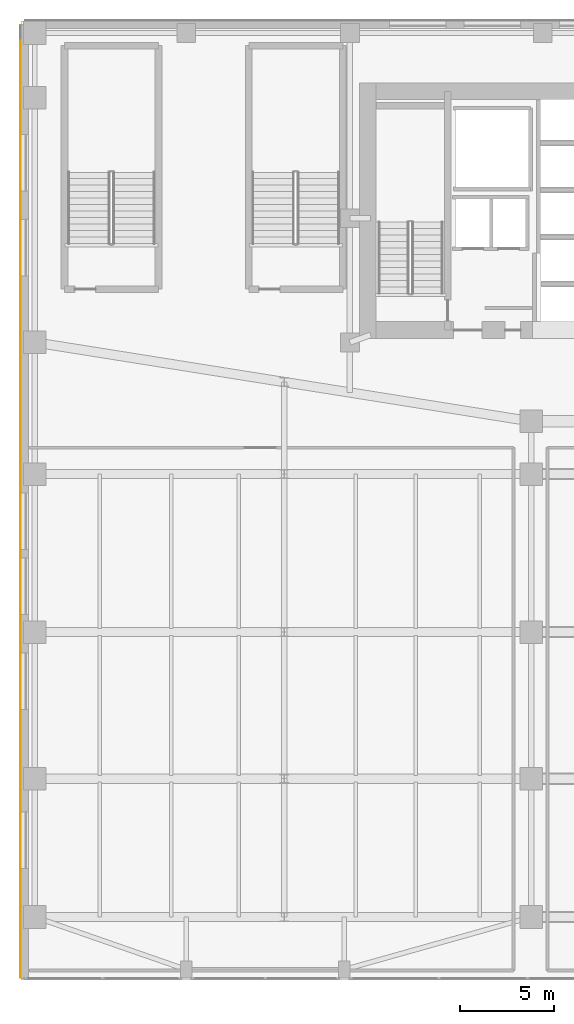
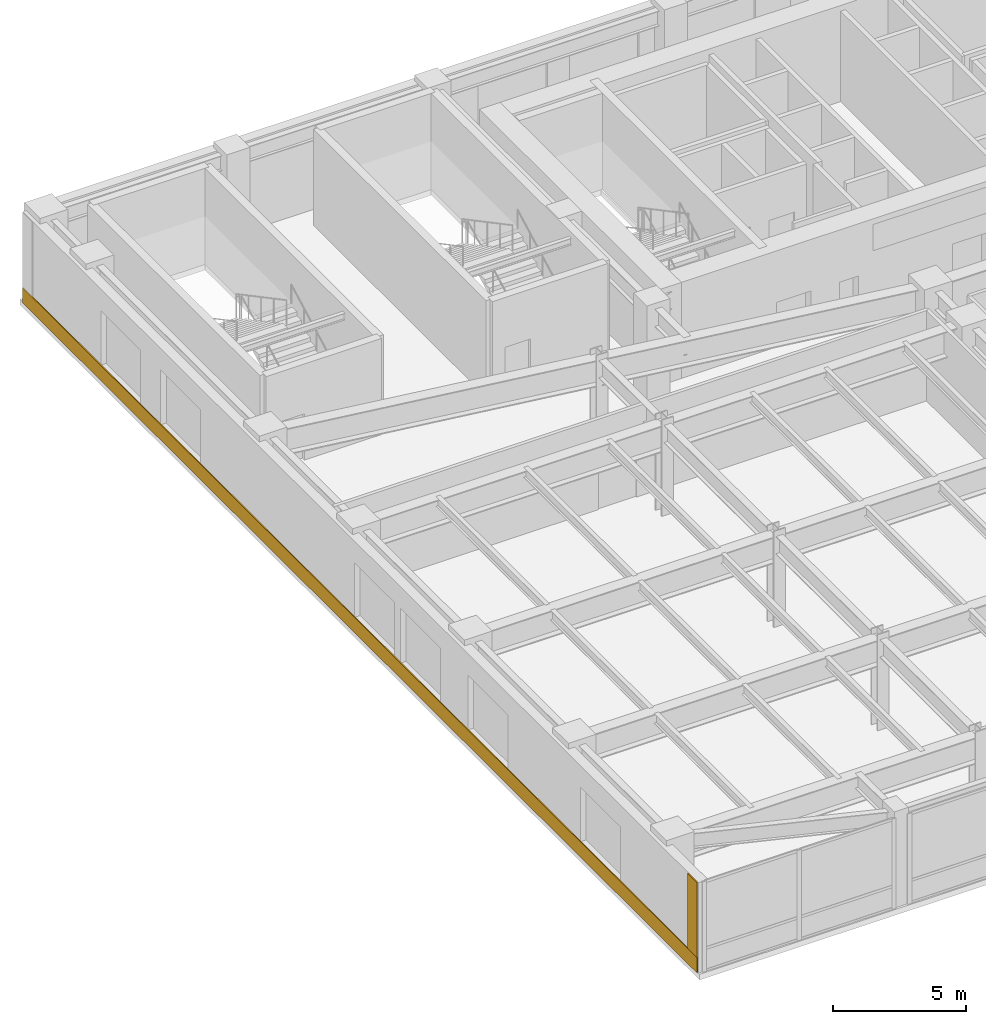
# One storey, part 22 of 27: 2 coverings.
"""IFC4 building model written with IfcOpenShell, lengths in metres."""

from ifc_helpers import new_model, si_unit, direction, frame, origin, place, context, subcontext, project, spatial, polyline, outline, extrude, material, layer, layer_set, type_object, element, save


model = new_model("IFC4")

# Units and contexts
model_context = context("Model", 3, precision=1e-05, world=origin(), true_north=direction((0.0, 1.0)))
body_context = subcontext(model_context, "Body", "Model", "MODEL_VIEW")
ifc_project = project(units=[si_unit("LENGTHUNIT", "METRE"), si_unit("AREAUNIT", "SQUARE_METRE"), si_unit("VOLUMEUNIT", "CUBIC_METRE"), si_unit("PLANEANGLEUNIT", "RADIAN"), si_unit("MASSUNIT", "GRAM", prefix="KILO")], contexts=[model_context])

# Site, building, storey
site_placement = place(None, origin())
site = spatial("IfcSite", under=ifc_project, at=site_placement, CompositionType="ELEMENT")
building_placement = place(site_placement, origin())
building = spatial("IfcBuilding", under=site, at=building_placement, Name="Tolvann Quenvar Hotel", CompositionType="ELEMENT")
storey_placement = place(building_placement, frame((0.0, 0.0, 22.39990234375)))
storey = spatial("IfcBuildingStorey", under=building, at=storey_placement, Name="L04", CompositionType="ELEMENT", Elevation=22.39990234375)

# Coverings
ifc_material_1 = material(Name="Kiln-fired red architectural face brick cladding", Category="masonry")
ifc_layer_1 = layer(ifc_material_1, 0.0400390625)
ifc_layer_set_1 = layer_set([ifc_layer_1], Name="Kiln-fired red architectural face brick cladding")
covering_type_1 = type_object("IfcCoveringType", Name="COV_CLAD_BRICK_40", PredefinedType="CLADDING", material=ifc_layer_set_1)
covering_1_placement = place(storey_placement, frame((0.0, 0.0, 0.7001953125)))
element("IfcCovering", 1, at=covering_1_placement, inside=storey, type_object=covering_type_1, Name="Brick Pier Cladding (L04-E03-P2)", PredefinedType="CLADDING", context=body_context, shape_type="SweptSolid", body=[
    extrude(outline(polyline([(-8.39990234375, -1.659912109375), (-8.39990234375, -2.360107421875), (-8.43994140625, -2.360107421875), (-8.43994140625, -1.659912109375), (-8.39990234375, -1.659912109375)])), origin(), (0.0, 0.0, 1.0), 3.43994140625),
])
ifc_material_2 = material(Name="Moulded buff architectural terracotta spandrel cladding", Category="masonry")
ifc_layer_2 = layer(ifc_material_2, 0.0400390625)
ifc_layer_set_2 = layer_set([ifc_layer_2], Name="Moulded buff architectural terracotta spandrel cladding")
covering_type_2 = type_object("IfcCoveringType", Name="COV_CLAD_TERRA_40", PredefinedType="CLADDING", material=ifc_layer_set_2)
covering_2_placement = place(storey_placement, origin())
element("IfcCovering", 2, at=covering_2_placement, inside=storey, type_object=covering_type_2, Name="Terracotta Spandrel Cladding (L04-E03)", PredefinedType="CLADDING", context=body_context, shape_type="SweptSolid", body=[
    extrude(outline(polyline([(-8.39990234375, 48.25), (-8.39990234375, -2.3701171875), (-8.43994140625, -2.3701171875), (-8.43994140625, 48.25), (-8.39990234375, 48.25)])), origin(), (0.0, 0.0, 1.0), 0.7001953125),
])

save(model, "model.ifc")
